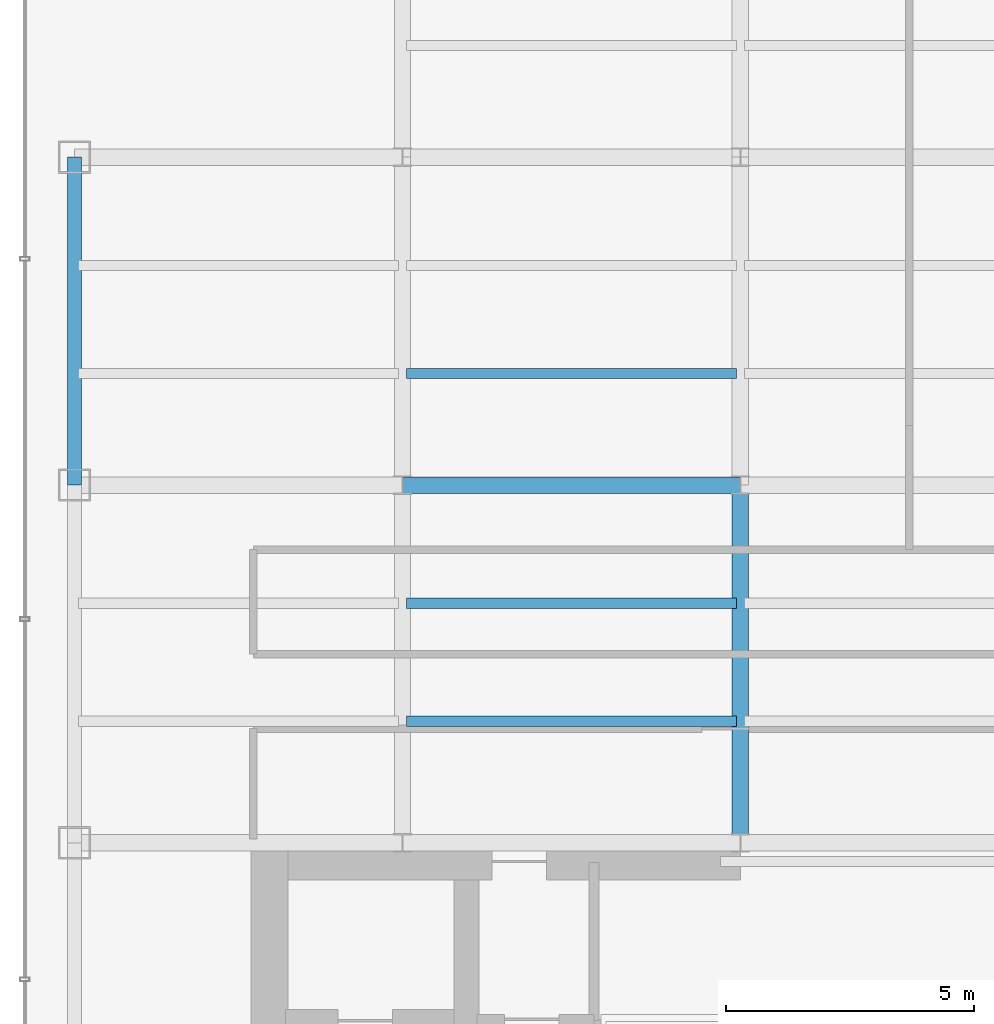
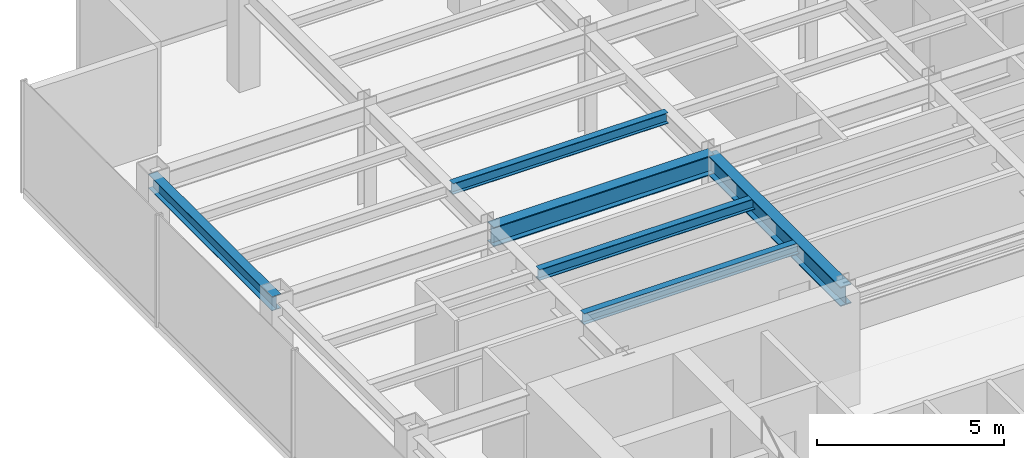
# One storey, part 6 of 25: 6 beams.
"""IFC4 building model written with IfcOpenShell, lengths in metres."""

from ifc_helpers import new_model, si_unit, derived_unit, direction, frame, origin, origin_2d, place, context, subcontext, project, spatial, i_section, extrude, source, transform, mapped, material, material_profile, profile_set, type_object, element, save


model = new_model("IFC4")

# Units and contexts
model_context = context("Model", 3, precision=1e-05, world=origin(), true_north=direction((0.0, 1.0)))
body_context = subcontext(model_context, "Body", "Model", "MODEL_VIEW")
ifc_project = project(units=[si_unit("LENGTHUNIT", "METRE"), si_unit("AREAUNIT", "SQUARE_METRE"), si_unit("VOLUMEUNIT", "CUBIC_METRE"), si_unit("PLANEANGLEUNIT", "RADIAN"), si_unit("MASSUNIT", "GRAM", prefix="KILO"), derived_unit("THERMALTRANSMITTANCEUNIT", [(si_unit("POWERUNIT", "WATT"), 1), (si_unit("LENGTHUNIT", "METRE"), -2), (si_unit("THERMODYNAMICTEMPERATUREUNIT", "KELVIN"), -1)])], contexts=[model_context])

# Site, building, storey
site_placement = place(None, origin())
site = spatial("IfcSite", under=ifc_project, at=site_placement, CompositionType="ELEMENT")
building_placement = place(site_placement, origin())
building = spatial("IfcBuilding", under=site, at=building_placement, Name="Skarnbrae Concourse Arena and Tower", CompositionType="ELEMENT")
storey_placement = place(building_placement, frame((0.0, 0.0, 177.10009765625)))
storey = spatial("IfcBuildingStorey", under=building, at=storey_placement, Name="L45", CompositionType="ELEMENT", Elevation=177.10009765625)

# Beams
ifc_material = material(Name="Steel CSA G40.21 350W", Category="steel")
ifc_material_profile_1 = material_profile(ifc_material, i_section(OverallWidth=0.3291015625, OverallDepth=0.635009765625, WebThickness=0.017822265625, FlangeThickness=0.031005859375, at=origin_2d()), Name="W610X241")
ifc_profile_set_1 = profile_set([ifc_material_profile_1], Name="Steel CSA G40.21 350W")
beam_type_1 = type_object("IfcBeamType", Name="BM-GIRD-W610X241", PredefinedType="BEAM", material=ifc_profile_set_1)
shared_shape_1 = source(origin(), body_context, "Body", "SweptSolid", [
    extrude(i_section(OverallWidth=0.3291015625, OverallDepth=0.635009765625, WebThickness=0.017822265625, FlangeThickness=0.031005859375, at=origin_2d()), origin(), (0.0, 0.0, 1.0), 6.7998046875),
])
beam_1_placement = place(storey_placement, frame((7.60009765625, 21.199951171875, 3.08251953125), z_axis=(1.0, 0.0, 0.0), x_axis=(0.0, 1.0, 0.0)))
element("IfcBeam", 1, at=beam_1_placement, inside=storey, type_object=beam_type_1, Name="L45 Primary E-W girder Y21.2-2", PredefinedType="BEAM", context=body_context, shape_type="MappedRepresentation", body=[
    mapped(shared_shape_1, transform((0.0, 0.0, 0.0))),
])
ifc_material_profile_2 = material_profile(ifc_material, i_section(OverallWidth=0.280029296875, OverallDepth=0.462890625, WebThickness=0.0107421875, FlangeThickness=0.017333984375, at=origin_2d()), Name="W460X113")
ifc_profile_set_2 = profile_set([ifc_material_profile_2], Name="Steel CSA G40.21 350W")
beam_type_2 = type_object("IfcBeamType", Name="BM-SPAN-W460X113", PredefinedType="SPANDREL", material=ifc_profile_set_2)
shared_shape_2 = source(origin(), body_context, "Body", "SweptSolid", [
    extrude(i_section(OverallWidth=0.280029296875, OverallDepth=0.462890625, WebThickness=0.0107421875, FlangeThickness=0.017333984375, at=origin_2d()), origin(), (0.0, 0.0, 1.0), 6.60009765625),
])
beam_2_placement = place(storey_placement, frame((1.0, 21.199951171875, 3.16845703125), z_axis=(0.0, 1.0, 0.0), x_axis=(-1.0, 0.0, 0.0)))
element("IfcBeam", 2, at=beam_2_placement, inside=storey, type_object=beam_type_2, Name="L45 Perimeter spandrel X1.0-3", PredefinedType="SPANDREL", context=body_context, shape_type="MappedRepresentation", body=[
    mapped(shared_shape_2, transform((0.0, 0.0, 0.0))),
])
shared_shape_3 = source(origin(), body_context, "Body", "SweptSolid", [
    extrude(i_section(OverallWidth=0.3291015625, OverallDepth=0.635009765625, WebThickness=0.017822265625, FlangeThickness=0.031005859375, at=origin_2d()), origin(), (0.0, 0.0, 1.0), 7.199951171875),
])
beam_3_placement = place(storey_placement, frame((14.39990234375, 14.0, 3.08251953125), z_axis=(0.0, 1.0, 0.0), x_axis=(-1.0, 0.0, 0.0)))
element("IfcBeam", 3, at=beam_3_placement, inside=storey, type_object=beam_type_1, Name="L45 Primary N-S girder X14.4-1", PredefinedType="BEAM", context=body_context, shape_type="MappedRepresentation", body=[
    mapped(shared_shape_3, transform((0.0, 0.0, 0.0))),
])
ifc_material_profile_3 = material_profile(ifc_material, i_section(OverallWidth=0.205078125, OverallDepth=0.35400390625, WebThickness=0.009521484375, FlangeThickness=0.016845703125, at=origin_2d()), Name="W360X79")
ifc_profile_set_3 = profile_set([ifc_material_profile_3], Name="Steel CSA G40.21 350W")
beam_type_3 = type_object("IfcBeamType", Name="BM-JOIST-W360X79", PredefinedType="JOIST", material=ifc_profile_set_3)
shared_shape_4 = source(origin(), body_context, "Body", "SweptSolid", [
    extrude(i_section(OverallWidth=0.205078125, OverallDepth=0.35400390625, WebThickness=0.009521484375, FlangeThickness=0.016845703125, at=origin_2d()), origin(), (0.0, 0.0, 1.0), 6.64013671875),
])
for number, where, z_axis, x_axis, name in (
    (4, (7.679931640625, 16.447998046875, 3.222900390625), (1.0, 0.0, 0.0), (0.0, 1.0, 0.0), "L45 Secondary floor joist 1.1.2"),
    (5, (7.679931640625, 18.823974609375, 3.222900390625), (1.0, 0.0, 0.0), (0.0, 1.0, 0.0), "L45 Secondary floor joist 1.2.2"),
    (6, (7.679931640625, 23.444091796875, 3.222900390625), (1.0, 0.0, 0.0), (0.0, 1.0, 0.0), "L45 Secondary floor joist 2.1.2"),
):
    element("IfcBeam", number, at=place(storey_placement, frame(where, z_axis=z_axis, x_axis=x_axis)), inside=storey, type_object=beam_type_3, Name=name, PredefinedType="JOIST", context=body_context, shape_type="MappedRepresentation", body=[
        mapped(shared_shape_4, transform((0.0, 0.0, 0.0))),
    ])

save(model, "model.ifc")
